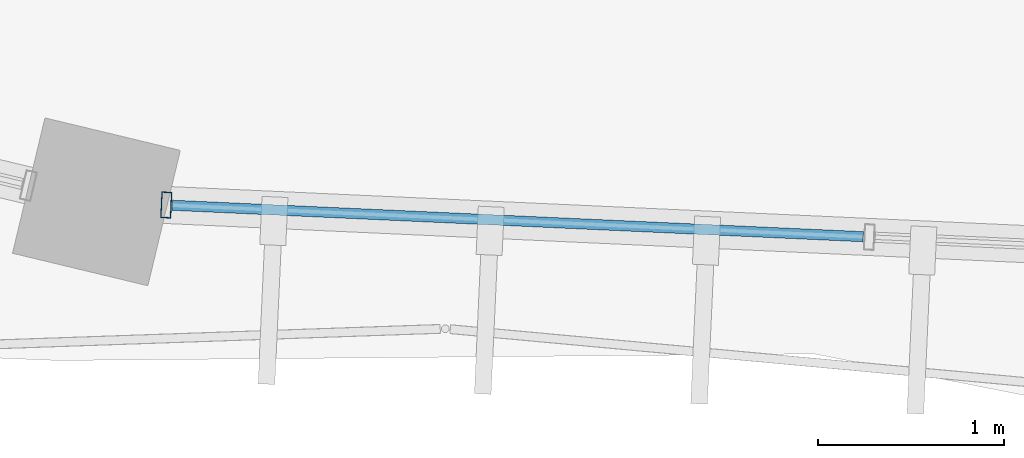
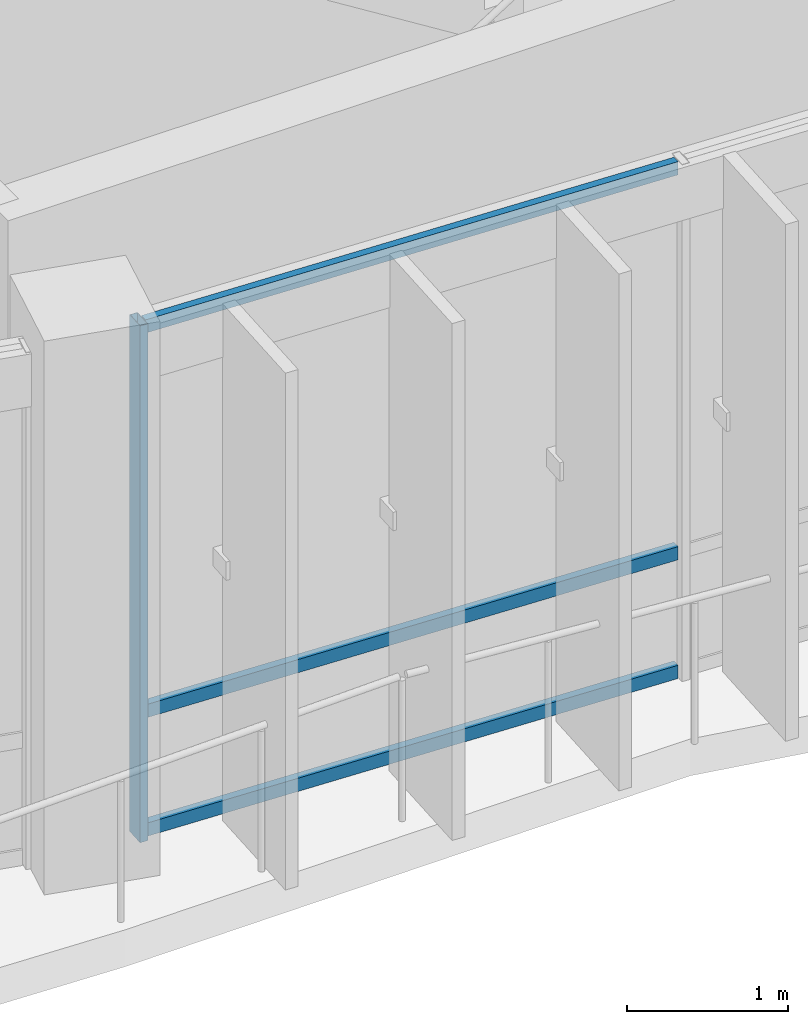
# One storey, part 34 of 152: 4 members, 1 element without a shape of its own.
"""IFC4 building model written with IfcOpenShell, lengths in metres."""

from ifc_helpers import new_model, si_unit, direction, frame, origin, origin_2d, place, context, subcontext, project, spatial, hollow_rectangle, extrude, material, material_profile, profile_set, type_object, element, aggregate, save


model = new_model("IFC4")

# Units and contexts
model_context = context("Model", 3, precision=1e-05, world=origin(), true_north=direction((0.0, 1.0)))
body_context = subcontext(model_context, "Body", "Model", "MODEL_VIEW")
ifc_project = project(units=[si_unit("LENGTHUNIT", "METRE"), si_unit("AREAUNIT", "SQUARE_METRE"), si_unit("VOLUMEUNIT", "CUBIC_METRE"), si_unit("PLANEANGLEUNIT", "RADIAN"), si_unit("MASSUNIT", "GRAM", prefix="KILO"), si_unit("THERMODYNAMICTEMPERATUREUNIT", "KELVIN"), si_unit("POWERUNIT", "WATT")], contexts=[model_context])

# Site, building, storey
site_placement = place(None, origin())
site = spatial("IfcSite", under=ifc_project, at=site_placement, CompositionType="ELEMENT")
building_placement = place(site_placement, origin())
building = spatial("IfcBuilding", under=site, at=building_placement, Name="Darbajah Civic Hall", CompositionType="ELEMENT")
storey_placement = place(building_placement, frame((0.0, 0.0, 5.39990234375)))
storey = spatial("IfcBuildingStorey", under=building, at=storey_placement, Name="L01", CompositionType="ELEMENT", Elevation=5.39990234375)

# Curtain wall, members
ifc_material_1 = material(Name="Anodised Bronze Aluminium and Low-E Glazing", Category="aluminium")
curtain_wall_type = type_object("IfcCurtainWallType", Name="Unitised Curtain Wall CW-32 15200x3900", PredefinedType="USERDEFINED", material=ifc_material_1)
curtain_wall_placement = place(storey_placement, origin())
curtain_wall = element("IfcCurtainWall", 1, at=curtain_wall_placement, inside=storey, type_object=curtain_wall_type, Name="L01 unitised curtain wall CW-V1O-L01-14", ObjectType="UNITISED CURTAIN WALL", PredefinedType="USERDEFINED")
ifc_material_2 = material(Name="Anodised Bronze Aluminium", Category="aluminium")
ifc_material_profile_1 = material_profile(ifc_material_2, hollow_rectangle(XDim=0.054931640625, YDim=0.139892578125, WallThickness=0.003173828125, at=origin_2d()), Name="ALU MULLION 55x140")
ifc_profile_set_1 = profile_set([ifc_material_profile_1], Name="Anodised Bronze Aluminium")
member_type_1 = type_object("IfcMemberType", Name="ALU MULLION 55x140", PredefinedType="MULLION", material=ifc_profile_set_1)
member_1_placement = place(storey_placement, frame((77.57080078125, 61.097900390625, 0.0), z_axis=(0.0, 0.0, 1.0), x_axis=(0.998962637241, -0.045537340693, 0.0)))
member_1 = element("IfcMember", 2, at=member_1_placement, type_object=member_type_1, Name="CW-V1O-L01-14 mullion 1", PredefinedType="MULLION", context=body_context, shape_type="SweptSolid", body=[
    extrude(hollow_rectangle(XDim=0.054931640625, YDim=0.139892578125, WallThickness=0.003173828125, at=origin_2d()), origin(), (0.0, 0.0, 1.0), 3.920166015625),
])
ifc_material_profile_2 = material_profile(ifc_material_2, hollow_rectangle(XDim=0.054931640625, YDim=0.10009765625, WallThickness=0.0029296875, at=origin_2d()), Name="ALU TRANSOM 55x100")
ifc_profile_set_2 = profile_set([ifc_material_profile_2], Name="Anodised Bronze Aluminium")
member_type_2 = type_object("IfcMemberType", Name="ALU TRANSOM 55x100", PredefinedType="USERDEFINED", material=ifc_profile_set_2)
member_2_placement = place(storey_placement, frame((77.603515625, 61.096435546875, 0.050048828125), z_axis=(0.998966242998, -0.045458171441, 0.0), x_axis=(0.045458171441, 0.998966242998, 0.0)))
member_2 = element("IfcMember", 3, at=member_2_placement, type_object=member_type_2, Name="CW-V1O-L01-14 transom 1.1", ObjectType="TRANSOM", PredefinedType="USERDEFINED", context=body_context, shape_type="SweptSolid", body=[
    extrude(hollow_rectangle(XDim=0.054931640625, YDim=0.10009765625, WallThickness=0.0029296875, at=origin_2d()), origin(), (0.0, 0.0, 1.0), 3.727294921875),
])
member_3_placement = place(storey_placement, frame((77.603515625, 61.096435546875, 0.9501953125), z_axis=(0.998966242998, -0.045458171441, 0.0), x_axis=(0.045458171441, 0.998966242998, 0.0)))
member_3 = element("IfcMember", 4, at=member_3_placement, type_object=member_type_2, Name="CW-V1O-L01-14 transom 1.2", ObjectType="TRANSOM", PredefinedType="USERDEFINED", context=body_context, shape_type="SweptSolid", body=[
    extrude(hollow_rectangle(XDim=0.054931640625, YDim=0.10009765625, WallThickness=0.0029296875, at=origin_2d()), origin(), (0.0, 0.0, 1.0), 3.727294921875),
])
member_4_placement = place(storey_placement, frame((77.603515625, 61.096435546875, 3.8701171875), z_axis=(0.998966242998, -0.045458171441, 0.0), x_axis=(0.045458171441, 0.998966242998, 0.0)))
member_4 = element("IfcMember", 5, at=member_4_placement, type_object=member_type_2, Name="CW-V1O-L01-14 transom 1.3", ObjectType="TRANSOM", PredefinedType="USERDEFINED", context=body_context, shape_type="SweptSolid", body=[
    extrude(hollow_rectangle(XDim=0.054931640625, YDim=0.10009765625, WallThickness=0.0029296875, at=origin_2d()), origin(), (0.0, 0.0, 1.0), 3.727294921875),
])
aggregate(curtain_wall, [member_1, member_2, member_3, member_4])

save(model, "model.ifc")
